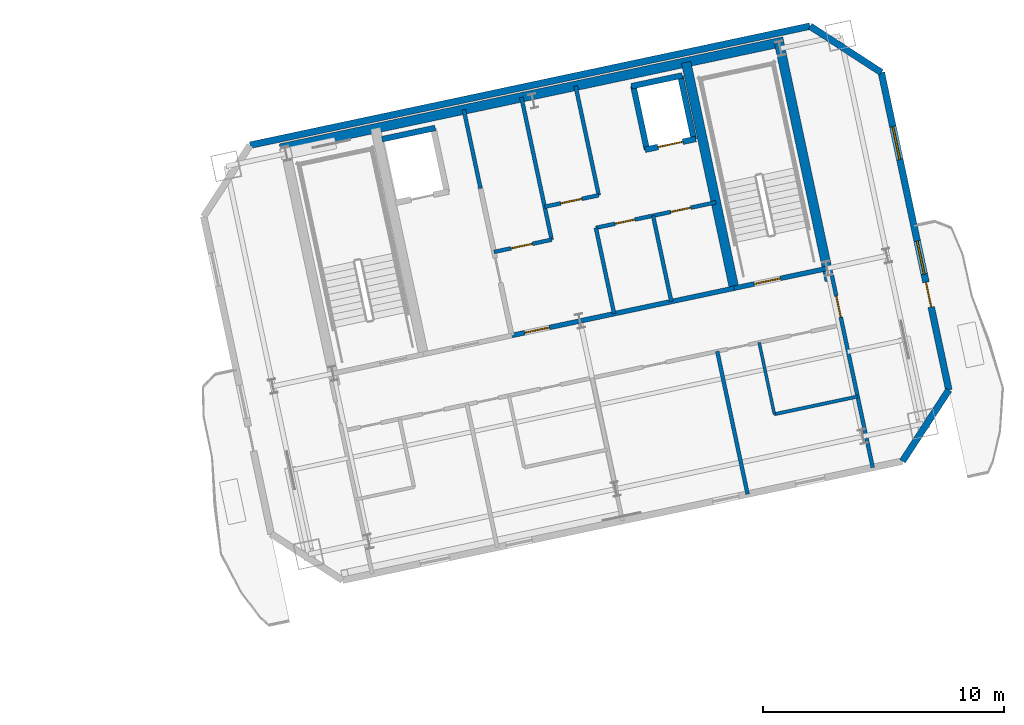
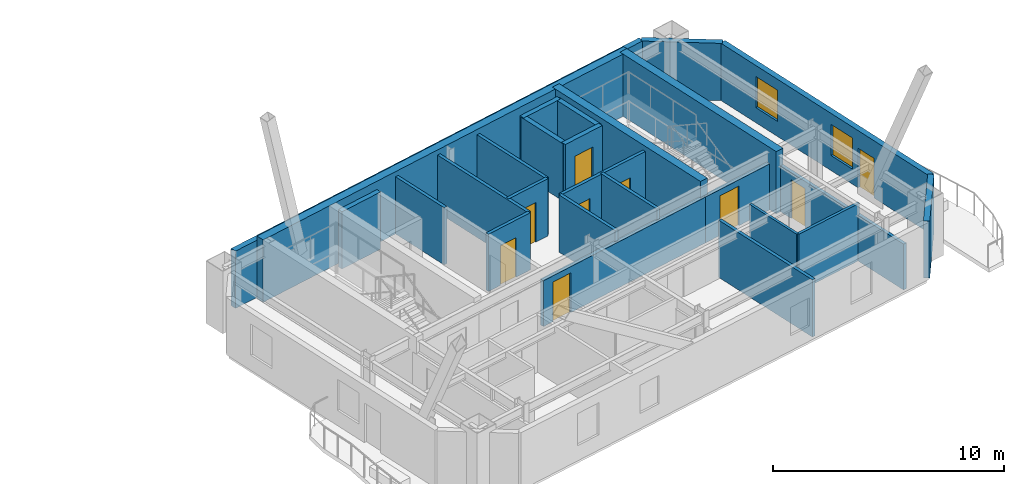
# One storey, part 8 of 13: 26 walls, 9 doors, 2 windows, 11 openings.
"""IFC4 building model written with IfcOpenShell, lengths in metres."""

from ifc_helpers import new_model, si_unit, direction, frame, frame_2d, origin, place, context, subcontext, project, spatial, rectangle, extrude, material, layer, layer_set, type_object, element, fill, save


model = new_model("IFC4")

# Units and contexts
model_context = context("Model", 3, precision=1e-05, world=origin(), true_north=direction((0.0, 1.0)))
body_context = subcontext(model_context, "Body", "Model", "MODEL_VIEW")
ifc_project = project(units=[si_unit("LENGTHUNIT", "METRE"), si_unit("AREAUNIT", "SQUARE_METRE"), si_unit("VOLUMEUNIT", "CUBIC_METRE"), si_unit("PLANEANGLEUNIT", "RADIAN"), si_unit("MASSUNIT", "GRAM", prefix="KILO")], contexts=[model_context])

# Site, building, storey
site_placement = place(None, origin())
site = spatial("IfcSite", under=ifc_project, at=site_placement, CompositionType="ELEMENT")
building_placement = place(site_placement, origin())
building = spatial("IfcBuilding", under=site, at=building_placement, Name="Haevon Station Towers", CompositionType="ELEMENT")
storey_placement = place(building_placement, frame((0.0, 0.0, 225.300048828125)))
storey = spatial("IfcBuildingStorey", under=building, at=storey_placement, Name="L62", CompositionType="ELEMENT", Elevation=225.300048828125)

# Wall, opening, door
ifc_material_1 = material(Name="Gypsum board on steel stud", Category="steel")
ifc_layer_1 = layer(ifc_material_1, 0.199951171875)
ifc_layer_set_1 = layer_set([ifc_layer_1], Name="Gypsum board on steel stud")
wall_type_1 = type_object("IfcWallType", Name="WL-COR200", PredefinedType="PARTITIONING", material=ifc_layer_set_1)
wall_1_placement = place(storey_placement, frame((115.4296875, 40.9873046875, 0.0), z_axis=(0.0, 0.0, 1.0), x_axis=(0.978146596989, 0.207916413008, 0.0)))
wall_1 = element("IfcWall", 1, at=wall_1_placement, inside=storey, type_object=wall_type_1, Name="WL-ST-ST4-L62", PredefinedType="PARTITIONING", context=body_context, shape_type="SweptSolid", body=[
    extrude(rectangle(XDim=3.9501953125, YDim=0.199951171875, at=frame_2d((1.97509765625, 0.0))), origin(), (0.0, 0.0, 1.0), 2.429931640625),
])
opening_1_placement = place(wall_1_placement, frame((0.85009765625, 0.0, 0.0)))
opening_1 = element("IfcOpeningElement", 2, at=opening_1_placement, cuts=wall_1, Name="Opening DR-ST-ST4-L62", PredefinedType="OPENING", context=body_context, shape_type="SweptSolid", body=[
    extrude(rectangle(XDim=1.1201171875, YDim=2.10009765625, at=frame_2d((0.56005859375, 1.050048828125))), frame((0.0, 0.10986328125, 0.0), z_axis=(0.0, -1.0, 0.0), x_axis=(1.0, 0.0, 0.0)), (0.0, 0.0, 1.0), 0.219970703125),
])
ifc_material_2 = material(Name="Engineered oak timber", Category="wood")
door_type_1 = type_object("IfcDoorType", Name="DR-ST-1120", OperationType="NOTDEFINED", PredefinedType="DOOR", material=ifc_material_2)
door_1_placement = place(opening_1_placement, origin())
door_1 = element("IfcDoor", 3, at=door_1_placement, inside=storey, type_object=door_type_1, Name="L62 Escape Stair ST4 Fire Door", OperationType="SINGLE_SWING_RIGHT", OverallHeight=2.10009765625, OverallWidth=1.1201171875, PredefinedType="DOOR", context=body_context, shape_type="SweptSolid", body=[
    extrude(rectangle(XDim=1.1201171875, YDim=2.10009765625, at=frame_2d((0.56005859375, 1.050048828125))), frame((0.0, 0.02490234375, 0.0), z_axis=(0.0, -1.0, 0.0), x_axis=(1.0, 0.0, 0.0)), (0.0, 0.0, 1.0), 0.050048828125),
])
fill(opening_1, door_1)

wall_2_placement = place(storey_placement, frame((106.186279296875, 39.0224609375, 0.0), z_axis=(0.0, 0.0, 1.0), x_axis=(0.978145519981, 0.20792147975, 0.0)))
wall_2 = element("IfcWall", 4, at=wall_2_placement, inside=storey, type_object=wall_type_1, Name="WL-T2CLB-L62", PredefinedType="PARTITIONING", context=body_context, shape_type="SweptSolid", body=[
    extrude(rectangle(XDim=9.449951171875, YDim=0.199951171875, at=frame_2d((4.72509765625, 0.0))), origin(), (0.0, 0.0, 1.0), 2.429931640625),
])
opening_2_placement = place(wall_2_placement, frame((0.550048828125, 0.0, 0.0)))
opening_2 = element("IfcOpeningElement", 5, at=opening_2_placement, cuts=wall_2, Name="Opening DR-T2CLB-L62-1", PredefinedType="OPENING", context=body_context, shape_type="SweptSolid", body=[
    extrude(rectangle(XDim=1.050048828125, YDim=2.10009765625, at=frame_2d((0.52490234375, 1.050048828125))), frame((0.0, 0.10986328125, 0.0), z_axis=(0.0, -1.0, 0.0), x_axis=(1.0, 0.0, 0.0)), (0.0, 0.0, 1.0), 0.219970703125),
])
door_type_2 = type_object("IfcDoorType", Name="DR-FD60-1050", OperationType="NOTDEFINED", PredefinedType="DOOR", material=ifc_material_2)
door_2_placement = place(opening_2_placement, origin())
door_2 = element("IfcDoor", 6, at=door_2_placement, inside=storey, type_object=door_type_2, Name="L62 Tower 2 Core Lift Lobby Door 1", OperationType="SINGLE_SWING_LEFT", OverallHeight=2.10009765625, OverallWidth=1.050048828125, PredefinedType="DOOR", context=body_context, shape_type="SweptSolid", body=[
    extrude(rectangle(XDim=1.050048828125, YDim=2.10009765625, at=frame_2d((0.52490234375, 1.050048828125))), frame((0.0, 0.02490234375, 0.0), z_axis=(0.0, -1.0, 0.0), x_axis=(1.0, 0.0, 0.0)), (0.0, 0.0, 1.0), 0.050048828125),
])
fill(opening_2, door_2)

# Walls
ifc_material_3 = material(Name="Concrete C60/75", Category="concrete")
ifc_layer_2 = layer(ifc_material_3, 0.39990234375)
ifc_layer_set_2 = layer_set([ifc_layer_2], Name="Concrete C60/75")
wall_type_2 = type_object("IfcWallType", Name="WL-CR400", PredefinedType="SHEAR", material=ifc_layer_set_2)
wall_3_placement = place(storey_placement, frame((96.560791015625, 46.791015625, 0.0), z_axis=(0.0, 0.0, 1.0), x_axis=(0.978148498705, 0.207907466152, 0.0)))
element("IfcWall", 7, at=wall_3_placement, inside=storey, type_object=wall_type_2, Name="WL-T2CR-L62-N", PredefinedType="SHEAR", context=body_context, shape_type="SweptSolid", body=[
    extrude(rectangle(XDim=21.39990234375, YDim=0.39990234375, at=frame_2d((10.699951171875, 0.0))), origin(), (0.0, 0.0, 1.0), 3.300048828125),
])
wall_4_placement = place(storey_placement, frame((119.401611328125, 41.2998046875, 0.0), z_axis=(0.0, 0.0, 1.0), x_axis=(-0.207904342798, 0.978149162575, 0.0)))
element("IfcWall", 8, at=wall_4_placement, inside=storey, type_object=wall_type_2, Name="WL-T2CR-L62-E", PredefinedType="SHEAR", context=body_context, shape_type="SweptSolid", body=[
    extrude(rectangle(XDim=10.1201171875, YDim=0.39990234375, at=frame_2d((5.06005859375, 0.0))), origin(), (0.0, 0.0, 1.0), 3.300048828125),
])
wall_5_placement = place(storey_placement, frame((115.4296875, 40.9873046875, 0.0), z_axis=(0.0, 0.0, 1.0), x_axis=(-0.207903162969, 0.978149413345, 0.0)))
element("IfcWall", 9, at=wall_5_placement, inside=storey, type_object=wall_type_2, Name="WL-T2CR-L62-M2", PredefinedType="SHEAR", context=body_context, shape_type="SweptSolid", body=[
    extrude(rectangle(XDim=9.599853515625, YDim=0.39990234375, at=frame_2d((4.7998046875, 0.0))), origin(), (0.0, 0.0, 1.0), 3.300048828125),
])
ifc_material_4 = material(Name="Precast concrete C45/55", Category="concrete")
ifc_layer_3 = layer(ifc_material_4, 0.280029296875)
ifc_layer_set_3 = layer_set([ifc_layer_3], Name="Precast concrete C45/55")
wall_type_3 = type_object("IfcWallType", Name="WL-EXT-PIER280", PredefinedType="SOLIDWALL", material=ifc_layer_set_3)
wall_6_placement = place(storey_placement, frame((95.3037109375, 46.932861328125, 0.0), z_axis=(0.0, 0.0, 1.0), x_axis=(0.978148291113, 0.207908442811, 0.0)))
element("IfcWall", 10, at=wall_6_placement, inside=storey, type_object=wall_type_3, Name="WL-T2-L62-N", PredefinedType="SOLIDWALL", context=body_context, shape_type="SweptSolid", body=[
    extrude(rectangle(XDim=23.800048828125, YDim=0.280029296875, at=frame_2d((11.89990234375, 0.0))), origin(), (0.0, 0.0, 1.0), 3.030029296875),
])
wall_7_placement = place(storey_placement, frame((118.583740234375, 51.881103515625, 0.0), z_axis=(0.0, 0.0, 1.0), x_axis=(0.838672309694, -0.544636352948, 0.0)))
element("IfcWall", 11, at=wall_7_placement, inside=storey, type_object=wall_type_3, Name="WL-T2-L62-NEC", PredefinedType="SOLIDWALL", context=body_context, shape_type="SweptSolid", body=[
    extrude(rectangle(XDim=3.535400390625, YDim=0.280029296875, at=frame_2d((1.767578125, 0.0))), origin(), (0.0, 0.0, 1.0), 3.030029296875),
])

# Wall, openings, door, windows
wall_8_placement = place(storey_placement, frame((121.548828125, 49.95556640625, 0.0), z_axis=(0.0, 0.0, 1.0), x_axis=(0.207907239961, -0.978148546782, 0.0)))
wall_8 = element("IfcWall", 12, at=wall_8_placement, inside=storey, type_object=wall_type_3, Name="WL-T2-L62-E", PredefinedType="SOLIDWALL", context=body_context, shape_type="SweptSolid", body=[
    extrude(rectangle(XDim=13.489990234375, YDim=0.280029296875, at=frame_2d((6.7451171875, 0.0))), origin(), (0.0, 0.0, 1.0), 3.030029296875),
])
opening_3_placement = place(wall_8_placement, frame((8.919921875, 0.0, 0.0)))
opening_3 = element("IfcOpeningElement", 13, at=opening_3_placement, cuts=wall_8, Name="Opening DR-T2-SCAL-L62-E", PredefinedType="OPENING", context=body_context, shape_type="SweptSolid", body=[
    extrude(rectangle(XDim=1.050048828125, YDim=2.10009765625, at=frame_2d((0.52490234375, 1.050048828125))), frame((0.0, 0.14990234375, 0.0), z_axis=(0.0, -1.0, 0.0), x_axis=(1.0, 0.0, 0.0)), (0.0, 0.0, 1.0), 0.300048828125),
])
opening_4_placement = place(wall_8_placement, frame((2.298583984375, 0.0, 0.800048828125)))
opening_4 = element("IfcOpeningElement", 14, at=opening_4_placement, cuts=wall_8, Name="Opening WN-END140", PredefinedType="OPENING", context=body_context, shape_type="SweptSolid", body=[
    extrude(rectangle(XDim=1.39990234375, YDim=1.64990234375, at=frame_2d((0.699951171875, 0.824951171875))), frame((0.0, 0.14990234375, 0.0), z_axis=(0.0, -1.0, 0.0), x_axis=(1.0, 0.0, 0.0)), (0.0, 0.0, 1.0), 0.300048828125),
])
opening_5_placement = place(wall_8_placement, frame((7.1689453125, 0.0, 0.800048828125)))
opening_5 = element("IfcOpeningElement", 15, at=opening_5_placement, cuts=wall_8, Name="Opening WN-END140", PredefinedType="OPENING", context=body_context, shape_type="SweptSolid", body=[
    extrude(rectangle(XDim=1.39990234375, YDim=1.64990234375, at=frame_2d((0.699951171875, 0.824951171875))), frame((0.0, 0.14990234375, 0.0), z_axis=(0.0, -1.0, 0.0), x_axis=(1.0, 0.0, 0.0)), (0.0, 0.0, 1.0), 0.300048828125),
])
ifc_material_5 = material(Name="Thermally broken anodised aluminium and laminated safety glass", Category="aluminium")
door_type_3 = type_object("IfcDoorType", Name="DR-BALC-1050", OperationType="NOTDEFINED", PredefinedType="DOOR", material=ifc_material_5)
door_3_placement = place(opening_3_placement, origin())
door_3 = element("IfcDoor", 16, at=door_3_placement, inside=storey, type_object=door_type_3, Name="Tower 2 L62 East Scalloped Balcony Door", OperationType="SINGLE_SWING_LEFT", OverallHeight=2.10009765625, OverallWidth=1.050048828125, PredefinedType="DOOR", context=body_context, shape_type="SweptSolid", body=[
    extrude(rectangle(XDim=1.050048828125, YDim=2.10009765625, at=frame_2d((0.52490234375, 1.050048828125))), frame((0.0, 0.02490234375, 0.0), z_axis=(0.0, -1.0, 0.0), x_axis=(1.0, 0.0, 0.0)), (0.0, 0.0, 1.0), 0.050048828125),
])
fill(opening_3, door_3)
ifc_material_6 = material(Name="Low-E triple glazing in thermally broken aluminium", Category="aluminium")
window_type = type_object("IfcWindowType", Name="WN-END140", PartitioningType="SINGLE_PANEL", PredefinedType="WINDOW", material=ifc_material_6)
window_1_placement = place(opening_4_placement, origin())
window_1 = element("IfcWindow", 17, at=window_1_placement, inside=storey, type_object=window_type, Name="WN-T2-L62-E01", OverallHeight=1.64990234375, OverallWidth=1.39990234375, PartitioningType="SINGLE_PANEL", PredefinedType="WINDOW", context=body_context, shape_type="SweptSolid", body=[
    extrude(rectangle(XDim=1.39990234375, YDim=1.64990234375, at=frame_2d((0.699951171875, 0.824951171875))), frame((0.0, 0.030029296875, 0.0), z_axis=(0.0, -1.0, 0.0), x_axis=(1.0, 0.0, 0.0)), (0.0, 0.0, 1.0), 0.06005859375),
])
fill(opening_4, window_1)
window_2_placement = place(opening_5_placement, origin())
window_2 = element("IfcWindow", 18, at=window_2_placement, inside=storey, type_object=window_type, Name="WN-T2-L62-E02", OverallHeight=1.64990234375, OverallWidth=1.39990234375, PartitioningType="SINGLE_PANEL", PredefinedType="WINDOW", context=body_context, shape_type="SweptSolid", body=[
    extrude(rectangle(XDim=1.39990234375, YDim=1.64990234375, at=frame_2d((0.699951171875, 0.824951171875))), frame((0.0, 0.030029296875, 0.0), z_axis=(0.0, -1.0, 0.0), x_axis=(1.0, 0.0, 0.0)), (0.0, 0.0, 1.0), 0.06005859375),
])
fill(opening_5, window_2)

# Walls
wall_9_placement = place(storey_placement, frame((124.353515625, 36.76025390625, 0.0), z_axis=(0.0, 0.0, 1.0), x_axis=(-0.544636352948, -0.838672309694, 0.0)))
element("IfcWall", 19, at=wall_9_placement, inside=storey, type_object=wall_type_3, Name="WL-T2-L62-SEC", PredefinedType="SOLIDWALL", context=body_context, shape_type="SweptSolid", body=[
    extrude(rectangle(XDim=3.535400390625, YDim=0.280029296875, at=frame_2d((1.767578125, 0.0))), origin(), (0.0, 0.0, 1.0), 3.030029296875),
])
ifc_layer_4 = layer(ifc_material_1, 0.125)
ifc_layer_set_4 = layer_set([ifc_layer_4], Name="Gypsum board on steel stud")
wall_type_4 = type_object("IfcWallType", Name="WL-PRT125", PredefinedType="PARTITIONING", material=ifc_layer_set_4)
wall_10_placement = place(storey_placement, frame((117.1025390625, 35.750732421875, 0.0), z_axis=(0.0, 0.0, 1.0), x_axis=(-0.207877902534, 0.978154782045, 0.0)))
element("IfcWall", 20, at=wall_10_placement, inside=storey, type_object=wall_type_4, Name="WL-T2PT-L62-11", PredefinedType="PARTITIONING", context=body_context, shape_type="SweptSolid", body=[
    extrude(rectangle(XDim=3.050048828125, YDim=0.125, at=frame_2d((1.52490234375, 0.0))), origin(), (0.0, 0.0, 1.0), 3.030029296875),
])
ifc_layer_5 = layer(ifc_material_1, 0.139892578125)
ifc_layer_set_5 = layer_set([ifc_layer_5], Name="Gypsum board on steel stud")
wall_type_5 = type_object("IfcWallType", Name="WL-PRT140", PredefinedType="PARTITIONING", material=ifc_layer_set_5)
wall_11_placement = place(storey_placement, frame((117.1025390625, 35.750732421875, 0.0), z_axis=(0.0, 0.0, 1.0), x_axis=(0.978155518159, 0.207874438771, 0.0)))
element("IfcWall", 21, at=wall_11_placement, inside=storey, type_object=wall_type_5, Name="WL-T2PT-L62-10", PredefinedType="PARTITIONING", context=body_context, shape_type="SweptSolid", body=[
    extrude(rectangle(XDim=3.53759765625, YDim=0.139892578125, at=frame_2d((1.768798828125, 0.0))), origin(), (0.0, 0.0, 1.0), 3.030029296875),
])
ifc_layer_6 = layer(ifc_material_1, 0.159912109375)
ifc_layer_set_6 = layer_set([ifc_layer_6], Name="Gypsum board on steel stud")
wall_type_6 = type_object("IfcWallType", Name="WL-PRT160", PredefinedType="PARTITIONING", material=ifc_layer_set_6)
wall_12_placement = place(storey_placement, frame((104.88671875, 45.135986328125, 0.0), z_axis=(0.0, 0.0, 1.0), x_axis=(-0.207846553267, 0.978161443881, 0.0)))
element("IfcWall", 22, at=wall_12_placement, inside=storey, type_object=wall_type_6, Name="WL-T2CW-L62-01", PredefinedType="PARTITIONING", context=body_context, shape_type="SweptSolid", body=[
    extrude(rectangle(XDim=3.35009765625, YDim=0.159912109375, at=frame_2d((1.675048828125, 0.0))), origin(), (0.0, 0.0, 1.0), 3.030029296875),
])

# Wall, opening, door
wall_13_placement = place(storey_placement, frame((105.4482421875, 42.494873046875, 0.0), z_axis=(0.0, 0.0, 1.0), x_axis=(0.978136559131, 0.207963630695, 0.0)))
wall_13 = element("IfcWall", 23, at=wall_13_placement, inside=storey, type_object=wall_type_6, Name="WL-T2CW-L62-02", PredefinedType="PARTITIONING", context=body_context, shape_type="SweptSolid", body=[
    extrude(rectangle(XDim=2.449951171875, YDim=0.159912109375, at=frame_2d((1.22509765625, 0.0))), origin(), (0.0, 0.0, 1.0), 3.030029296875),
])
opening_6_placement = place(wall_13_placement, frame((0.719970703125, 0.0, 0.0)))
opening_6 = element("IfcOpeningElement", 24, at=opening_6_placement, cuts=wall_13, Name="Opening DR-WL-T2CW-L62-02-1", PredefinedType="OPENING", context=body_context, shape_type="SweptSolid", body=[
    extrude(rectangle(XDim=0.89990234375, YDim=2.10009765625, at=frame_2d((0.449951171875, 1.050048828125))), frame((0.0, 0.08984375, 0.0), z_axis=(0.0, -1.0, 0.0), x_axis=(1.0, 0.0, 0.0)), (0.0, 0.0, 1.0), 0.179931640625),
])
door_type_4 = type_object("IfcDoorType", Name="DR-FD60-900", OperationType="NOTDEFINED", PredefinedType="DOOR", material=ifc_material_2)
door_4_placement = place(opening_6_placement, origin())
door_4 = element("IfcDoor", 25, at=door_4_placement, inside=storey, type_object=door_type_4, Name="L62 Tower 2 Core Room Door 2-1", OperationType="SINGLE_SWING_RIGHT", OverallHeight=2.10009765625, OverallWidth=0.89990234375, PredefinedType="DOOR", context=body_context, shape_type="SweptSolid", body=[
    extrude(rectangle(XDim=0.89990234375, YDim=2.10009765625, at=frame_2d((0.449951171875, 1.050048828125))), frame((0.0, 0.02490234375, 0.0), z_axis=(0.0, -1.0, 0.0), x_axis=(1.0, 0.0, 0.0)), (0.0, 0.0, 1.0), 0.050048828125),
])
fill(opening_6, door_4)

# Wall
wall_14_placement = place(storey_placement, frame((107.8447265625, 43.00439453125, 0.0), z_axis=(0.0, 0.0, 1.0), x_axis=(-0.207944180755, 0.978140694221, 0.0)))
element("IfcWall", 26, at=wall_14_placement, inside=storey, type_object=wall_type_6, Name="WL-T2CW-L62-03", PredefinedType="PARTITIONING", context=body_context, shape_type="SweptSolid", body=[
    extrude(rectangle(XDim=6.050048828125, YDim=0.159912109375, at=frame_2d((3.02490234375, 0.0))), origin(), (0.0, 0.0, 1.0), 3.030029296875),
])

# Wall, opening, door
wall_15_placement = place(storey_placement, frame((107.553466796875, 44.373779296875, 0.0), z_axis=(0.0, 0.0, 1.0), x_axis=(0.978141312374, 0.207941273027, 0.0)))
wall_15 = element("IfcWall", 27, at=wall_15_placement, inside=storey, type_object=wall_type_6, Name="WL-T2CW-L62-04", PredefinedType="PARTITIONING", context=body_context, shape_type="SweptSolid", body=[
    extrude(rectangle(XDim=2.300048828125, YDim=0.159912109375, at=frame_2d((1.14990234375, 0.0))), origin(), (0.0, 0.0, 1.0), 3.030029296875),
])
opening_7_placement = place(wall_15_placement, frame((0.679931640625, 0.0, 0.0)))
opening_7 = element("IfcOpeningElement", 28, at=opening_7_placement, cuts=wall_15, Name="Opening DR-WL-T2CW-L62-04-1", PredefinedType="OPENING", context=body_context, shape_type="SweptSolid", body=[
    extrude(rectangle(XDim=0.89990234375, YDim=2.10009765625, at=frame_2d((0.449951171875, 1.050048828125))), frame((0.0, 0.08984375, 0.0), z_axis=(0.0, -1.0, 0.0), x_axis=(1.0, 0.0, 0.0)), (0.0, 0.0, 1.0), 0.179931640625),
])
door_5_placement = place(opening_7_placement, origin())
door_5 = element("IfcDoor", 29, at=door_5_placement, inside=storey, type_object=door_type_4, Name="L62 Tower 2 Core Room Door 4-1", OperationType="SINGLE_SWING_LEFT", OverallHeight=2.10009765625, OverallWidth=0.89990234375, PredefinedType="DOOR", context=body_context, shape_type="SweptSolid", body=[
    extrude(rectangle(XDim=0.89990234375, YDim=2.10009765625, at=frame_2d((0.449951171875, 1.050048828125))), frame((0.0, 0.02490234375, 0.0), z_axis=(0.0, -1.0, 0.0), x_axis=(1.0, 0.0, 0.0)), (0.0, 0.0, 1.0), 0.050048828125),
])
fill(opening_7, door_5)

# Walls
wall_16_placement = place(storey_placement, frame((109.80322265625, 44.85205078125, 0.0), z_axis=(0.0, 0.0, 1.0), x_axis=(-0.207915270313, 0.978146839882, 0.0)))
element("IfcWall", 30, at=wall_16_placement, inside=storey, type_object=wall_type_6, Name="WL-T2CW-L62-05", PredefinedType="PARTITIONING", context=body_context, shape_type="SweptSolid", body=[
    extrude(rectangle(XDim=4.64990234375, YDim=0.159912109375, at=frame_2d((2.324951171875, 0.0))), origin(), (0.0, 0.0, 1.0), 3.030029296875),
])
for number, where, z_axis, x_axis, name in (
    (31, (110.441162109375, 39.927001953125, 0.0), (0.0, 0.0, 1.0), (-0.207884354546, 0.978153410838, 0.0), "WL-T2CW-L62-06"),
    (32, (112.818115234375, 40.43212890625, 0.0), (0.0, 0.0, 1.0), (-0.207884354546, 0.978153410838, 0.0), "WL-T2CW-L62-07"),
):
    element("IfcWall", number, at=place(storey_placement, frame(where, z_axis=z_axis, x_axis=x_axis)), inside=storey, type_object=wall_type_6, Name=name, PredefinedType="PARTITIONING", context=body_context, shape_type="SweptSolid", body=[
        extrude(rectangle(XDim=3.650146484375, YDim=0.159912109375, at=frame_2d((1.8251953125, 0.0))), origin(), (0.0, 0.0, 1.0), 3.030029296875),
    ])

# Wall, openings, doors
wall_17_placement = place(storey_placement, frame((109.682373046875, 43.497314453125, 0.0), z_axis=(0.0, 0.0, 1.0), x_axis=(0.978149238447, 0.207903985835, 0.0)))
wall_17 = element("IfcWall", 33, at=wall_17_placement, inside=storey, type_object=wall_type_6, Name="WL-T2CW-L62-08", PredefinedType="PARTITIONING", context=body_context, shape_type="SweptSolid", body=[
    extrude(rectangle(XDim=5.099853515625, YDim=0.159912109375, at=frame_2d((2.5498046875, 0.0))), origin(), (0.0, 0.0, 1.0), 3.030029296875),
])
opening_8_placement = place(wall_17_placement, frame((0.81005859375, 0.0, 0.0)))
opening_8 = element("IfcOpeningElement", 34, at=opening_8_placement, cuts=wall_17, Name="Opening DR-WL-T2CW-L62-08-1", PredefinedType="OPENING", context=body_context, shape_type="SweptSolid", body=[
    extrude(rectangle(XDim=0.85009765625, YDim=2.050048828125, at=frame_2d((0.425048828125, 1.02490234375))), frame((0.0, 0.08984375, 0.0), z_axis=(0.0, -1.0, 0.0), x_axis=(1.0, 0.0, 0.0)), (0.0, 0.0, 1.0), 0.179931640625),
])
opening_9_placement = place(wall_17_placement, frame((3.179931640625, 0.0, 0.0)))
opening_9 = element("IfcOpeningElement", 35, at=opening_9_placement, cuts=wall_17, Name="Opening DR-WL-T2CW-L62-08-2", PredefinedType="OPENING", context=body_context, shape_type="SweptSolid", body=[
    extrude(rectangle(XDim=0.85009765625, YDim=2.050048828125, at=frame_2d((0.425048828125, 1.02490234375))), frame((0.0, 0.08984375, 0.0), z_axis=(0.0, -1.0, 0.0), x_axis=(1.0, 0.0, 0.0)), (0.0, 0.0, 1.0), 0.179931640625),
])
door_type_5 = type_object("IfcDoorType", Name="DR-FD30-850", OperationType="NOTDEFINED", PredefinedType="DOOR", material=ifc_material_2)
door_6_placement = place(opening_8_placement, origin())
door_6 = element("IfcDoor", 36, at=door_6_placement, inside=storey, type_object=door_type_5, Name="L62 Tower 2 Core Room Door 8-1", OperationType="SINGLE_SWING_RIGHT", OverallHeight=2.050048828125, OverallWidth=0.85009765625, PredefinedType="DOOR", context=body_context, shape_type="SweptSolid", body=[
    extrude(rectangle(XDim=0.85009765625, YDim=2.050048828125, at=frame_2d((0.425048828125, 1.02490234375))), frame((0.0, 0.02490234375, 0.0), z_axis=(0.0, -1.0, 0.0), x_axis=(1.0, 0.0, 0.0)), (0.0, 0.0, 1.0), 0.050048828125),
])
fill(opening_8, door_6)
door_7_placement = place(opening_9_placement, origin())
door_7 = element("IfcDoor", 37, at=door_7_placement, inside=storey, type_object=door_type_5, Name="L62 Tower 2 Core Room Door 8-2", OperationType="SINGLE_SWING_LEFT", OverallHeight=2.050048828125, OverallWidth=0.85009765625, PredefinedType="DOOR", context=body_context, shape_type="SweptSolid", body=[
    extrude(rectangle(XDim=0.85009765625, YDim=2.050048828125, at=frame_2d((0.425048828125, 1.02490234375))), frame((0.0, 0.02490234375, 0.0), z_axis=(0.0, -1.0, 0.0), x_axis=(1.0, 0.0, 0.0)), (0.0, 0.0, 1.0), 0.050048828125),
])
fill(opening_9, door_7)

# Wall, opening, door
wall_18_placement = place(storey_placement, frame((121.190673828125, 33.5322265625, 0.0), z_axis=(0.0, 0.0, 1.0), x_axis=(-0.207922572799, 0.978145287634, 0.0)))
wall_18 = element("IfcWall", 38, at=wall_18_placement, inside=storey, type_object=wall_type_6, Name="WL-T2PT-L62-02", PredefinedType="PARTITIONING", context=body_context, shape_type="SweptSolid", body=[
    extrude(rectangle(XDim=8.18994140625, YDim=0.159912109375, at=frame_2d((4.094970703125, 0.0))), origin(), (0.0, 0.0, 1.0), 2.429931640625),
])
opening_10_placement = place(wall_18_placement, frame((6.389892578125, 0.0, 0.0)))
opening_10 = element("IfcOpeningElement", 39, at=opening_10_placement, cuts=wall_18, Name="Opening DR-WL-T2PT-L62-02-01", PredefinedType="OPENING", context=body_context, shape_type="SweptSolid", body=[
    extrude(rectangle(XDim=0.89990234375, YDim=2.050048828125, at=frame_2d((0.449951171875, 1.02490234375))), frame((0.0, 0.08984375, 0.0), z_axis=(0.0, -1.0, 0.0), x_axis=(1.0, 0.0, 0.0)), (0.0, 0.0, 1.0), 0.179931640625),
])
door_type_6 = type_object("IfcDoorType", Name="DR-INT-900", OperationType="NOTDEFINED", PredefinedType="DOOR", material=ifc_material_2)
door_8_placement = place(opening_10_placement, origin())
door_8 = element("IfcDoor", 40, at=door_8_placement, inside=storey, type_object=door_type_6, Name="L62 Tower 2 Room Door 2-1", OperationType="SINGLE_SWING_LEFT", OverallHeight=2.050048828125, OverallWidth=0.89990234375, PredefinedType="DOOR", context=body_context, shape_type="SweptSolid", body=[
    extrude(rectangle(XDim=0.89990234375, YDim=2.050048828125, at=frame_2d((0.449951171875, 1.02490234375))), frame((0.0, 0.02490234375, 0.0), z_axis=(0.0, -1.0, 0.0), x_axis=(1.0, 0.0, 0.0)), (0.0, 0.0, 1.0), 0.050048828125),
])
fill(opening_10, door_8)

# Walls
wall_19_placement = place(storey_placement, frame((115.9892578125, 32.426513671875, 0.0), z_axis=(0.0, 0.0, 1.0), x_axis=(-0.207897237954, 0.978150672673, 0.0)))
element("IfcWall", 41, at=wall_19_placement, inside=storey, type_object=wall_type_6, Name="WL-T2PT-L62-09", PredefinedType="PARTITIONING", context=body_context, shape_type="SweptSolid", body=[
    extrude(rectangle(XDim=6.070068359375, YDim=0.159912109375, at=frame_2d((3.03515625, 0.0))), origin(), (0.0, 0.0, 1.0), 3.030029296875),
])
ifc_material_7 = material(Name="Concrete C40/50", Category="concrete")
ifc_layer_7 = layer(ifc_material_7, 0.239990234375)
ifc_layer_set_7 = layer_set([ifc_layer_7], Name="Concrete C40/50")
wall_type_7 = type_object("IfcWallType", Name="WL-SHF240", PredefinedType="PARTITIONING", material=ifc_layer_set_7)
wall_20_placement = place(storey_placement, frame((100.79248046875, 47.179443359375, 0.0), z_axis=(0.0, 0.0, 1.0), x_axis=(0.978162968872, 0.207839376268, 0.0)))
element("IfcWall", 42, at=wall_20_placement, inside=storey, type_object=wall_type_7, Name="WL-SHF-FL2-L62-N", PredefinedType="PARTITIONING", context=body_context, shape_type="SweptSolid", body=[
    extrude(rectangle(XDim=2.260009765625, YDim=0.239990234375, at=frame_2d((1.1298828125, 0.0))), origin(), (0.0, 0.0, 1.0), 3.030029296875),
])

# Wall, opening, door
wall_21_placement = place(storey_placement, frame((111.72216796875, 46.7421875, 0.0), z_axis=(0.0, 0.0, 1.0), x_axis=(0.97813528961, 0.207969601673, 0.0)))
wall_21 = element("IfcWall", 43, at=wall_21_placement, inside=storey, type_object=wall_type_7, Name="WL-SHF-PL10-L62", PredefinedType="PARTITIONING", context=body_context, shape_type="SweptSolid", body=[
    extrude(rectangle(XDim=2.159912109375, YDim=0.239990234375, at=frame_2d((1.080078125, 0.0))), origin(), (0.0, 0.0, 1.0), 3.030029296875),
])
opening_11_placement = place(wall_21_placement, frame((0.554931640625, 0.0, 0.0)))
opening_11 = element("IfcOpeningElement", 44, at=opening_11_placement, cuts=wall_21, Name="Opening LD-PL10-L62", PredefinedType="OPENING", context=body_context, shape_type="SweptSolid", body=[
    extrude(rectangle(XDim=1.050048828125, YDim=2.14990234375, at=frame_2d((0.52490234375, 1.074951171875))), frame((0.0, 0.1298828125, 0.0), z_axis=(0.0, -1.0, 0.0), x_axis=(1.0, 0.0, 0.0)), (0.0, 0.0, 1.0), 0.260009765625),
])
ifc_material_8 = material(Name="Stainless steel and rated core", Category="steel")
door_type_7 = type_object("IfcDoorType", Name="LD-PL1050", OperationType="SLIDING_TO_LEFT", PredefinedType="DOOR", material=ifc_material_8)
door_9_placement = place(opening_11_placement, origin())
door_9 = element("IfcDoor", 45, at=door_9_placement, inside=storey, type_object=door_type_7, Name="L62 Lift PL10 Sliding Landing Door", OperationType="SLIDING_TO_LEFT", OverallHeight=2.14990234375, OverallWidth=1.050048828125, PredefinedType="DOOR", context=body_context, shape_type="SweptSolid", body=[
    extrude(rectangle(XDim=1.050048828125, YDim=2.14990234375, at=frame_2d((0.52490234375, 1.074951171875))), frame((0.0, 0.02490234375, 0.0), z_axis=(0.0, -1.0, 0.0), x_axis=(1.0, 0.0, 0.0)), (0.0, 0.0, 1.0), 0.050048828125),
])
fill(opening_11, door_9)

# Walls
wall_22_placement = place(storey_placement, frame((111.160888671875, 49.38330078125, 0.0), z_axis=(0.0, 0.0, 1.0), x_axis=(0.978158276388, 0.207861459473, 0.0)))
element("IfcWall", 46, at=wall_22_placement, inside=storey, type_object=wall_type_7, Name="WL-SHF-PL10-L62-N", PredefinedType="PARTITIONING", context=body_context, shape_type="SweptSolid", body=[
    extrude(rectangle(XDim=2.159912109375, YDim=0.239990234375, at=frame_2d((1.080078125, 0.0))), origin(), (0.0, 0.0, 1.0), 3.030029296875),
])
for number, where, z_axis, x_axis, name in (
    (47, (111.800537109375, 46.7587890625, 0.0), (0.0, 0.0, 1.0), (-0.207960405185, 0.978137244908, 0.0), "WL-SHF-PL10-L62-W"),
    (48, (113.7568359375, 47.174560546875, 0.0), (0.0, 0.0, 1.0), (-0.207960405185, 0.978137244908, 0.0), "WL-SHF-PL10-L62-E"),
):
    element("IfcWall", number, at=place(storey_placement, frame(where, z_axis=z_axis, x_axis=x_axis)), inside=storey, type_object=wall_type_7, Name=name, PredefinedType="PARTITIONING", context=body_context, shape_type="SweptSolid", body=[
        extrude(rectangle(XDim=2.7001953125, YDim=0.239990234375, at=frame_2d((1.35009765625, 0.0))), origin(), (0.0, 0.0, 1.0), 3.030029296875),
    ])

save(model, "model.ifc")
